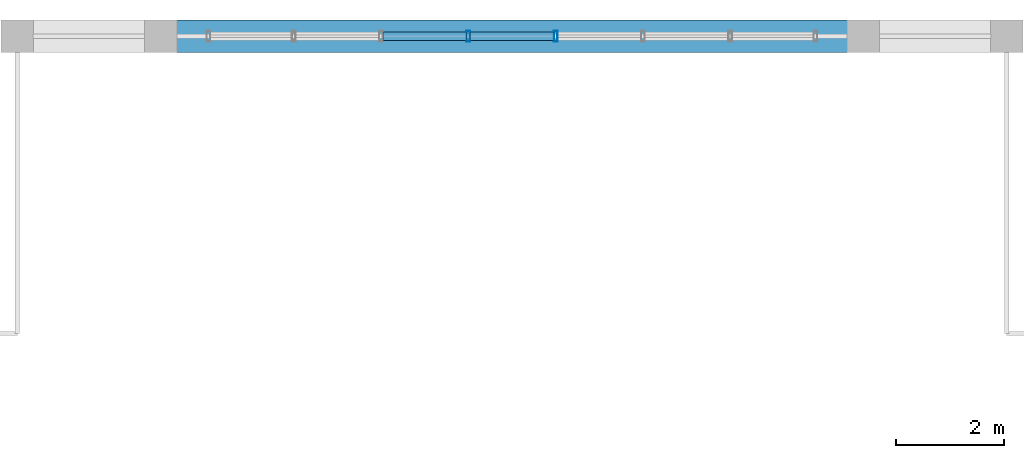
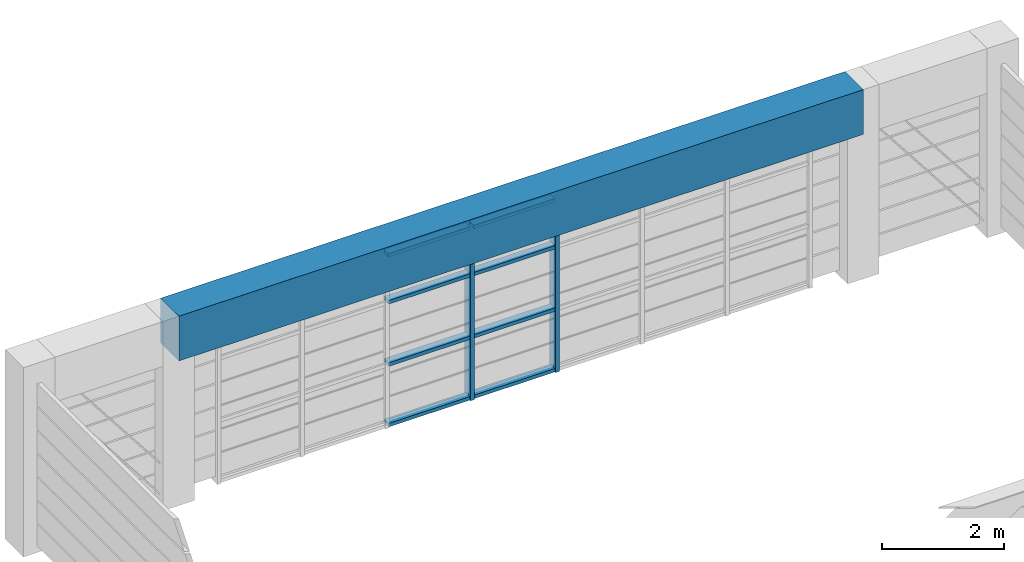
# One storey, part 13 of 21: 10 members, 1 beam, 1 element without a shape of its own.
"""IFC4 building model written with IfcOpenShell, lengths in metres."""

import ifcopenshell
import ifcopenshell.guid

model = None  # the IFC model being written
_history = None  # IfcOwnerHistory: only IFC2X3 demands one
_inside = {}  # id of a spatial element -> (the spatial element, [elements in it])
_under = {}  # id of a project, library or spatial element -> (it, [spatial elements below it])
_declared = {}  # id of a project -> (the project, [libraries it declares])
_typed = {}  # id of a type object -> (the type object, [elements of that type])
_made_of = {}  # id of a material, layer set ... -> (it, [elements and type objects made of it])


def new_model(schema):
    """Start an empty IFC model of exactly this schema.

    Asked for "IFC4X3", IfcOpenShell would pick the latest addendum, in which some entities
    have other attributes; the version numbers below select the first issue.
    IFC2X3 requires an IfcOwnerHistory on every rooted entity: one is made here for all.
    """
    global model, _history
    if schema == "IFC4X3":
        model = ifcopenshell.file(schema_version=(4, 3, 0, 0))
    else:
        model = ifcopenshell.file(schema=schema)
    _inside.clear()
    _under.clear()
    _declared.clear()
    _typed.clear()
    _made_of.clear()
    _history = None
    if model.schema == "IFC2X3":
        org = make("IfcOrganization", Name="unknown")
        user = make(
            "IfcPersonAndOrganization",
            ThePerson=make("IfcPerson", FamilyName="unknown"),
            TheOrganization=org,
        )
        app = make(
            "IfcApplication",
            ApplicationDeveloper=org,
            Version="unknown",
            ApplicationFullName="unknown",
            ApplicationIdentifier="unknown",
        )
        _history = make(
            "IfcOwnerHistory",
            OwningUser=user,
            OwningApplication=app,
            ChangeAction="ADDED",
            CreationDate=0,
        )
    return model


def make(cls, **values):
    """One entity of the class cls with the attributes given. An attribute that is None is left unset."""
    return model.create_entity(
        cls, **{name: value for name, value in values.items() if value is not None}
    )


def rooted(cls, **values):
    """An entity with a GlobalId (a new one), such as an element, a storey or a relation."""
    return make(cls, GlobalId=ifcopenshell.guid.new(), OwnerHistory=_history, **values)


def si_unit(unit_type, name, prefix=None):
    """IfcSIUnit, for example si_unit("LENGTHUNIT", "METRE", prefix="MILLI")."""
    return make("IfcSIUnit", UnitType=unit_type, Prefix=prefix, Name=name)


def assignment(units):
    """IfcUnitAssignment: the units of a project."""
    return None if units is None else make("IfcUnitAssignment", Units=units)


def point(xyz):
    """IfcCartesianPoint."""
    return None if xyz is None else make("IfcCartesianPoint", Coordinates=xyz)


def direction(xyz):
    """IfcDirection."""
    return None if xyz is None else make("IfcDirection", DirectionRatios=xyz)


def frame(location, z_axis=None, x_axis=None):
    """IfcAxis2Placement3D, a coordinate frame: its origin and axes. An axis left out is left unset."""
    return make(
        "IfcAxis2Placement3D",
        Location=point(location),
        Axis=direction(z_axis),
        RefDirection=direction(x_axis),
    )


def frame_2d(location, x_axis=None):
    """IfcAxis2Placement2D, a coordinate frame in the plane: its origin and x axis."""
    return make(
        "IfcAxis2Placement2D", Location=point(location), RefDirection=direction(x_axis)
    )


def origin():
    """The frame at (0, 0, 0) with its axes left unset."""
    return frame((0.0, 0.0, 0.0))


def origin_2d():
    """The frame at (0, 0) in the plane with its x axis left unset."""
    return frame_2d((0.0, 0.0))


def place(relative_to, where):
    """IfcLocalPlacement: puts the frame where relative to a parent placement (None: the world)."""
    return make(
        "IfcLocalPlacement", PlacementRelTo=relative_to, RelativePlacement=where
    )


def context(
    kind, dimensions, precision=None, world=None, true_north=None, identifier=None
):
    """IfcGeometricRepresentationContext, for example the 3D "Model" context."""
    return make(
        "IfcGeometricRepresentationContext",
        ContextIdentifier=identifier,
        ContextType=kind,
        CoordinateSpaceDimension=dimensions,
        Precision=precision,
        WorldCoordinateSystem=world,
        TrueNorth=true_north,
    )


def subcontext(parent, identifier, kind, view, scale=None):
    """IfcGeometricRepresentationSubContext, for example "Body" below "Model"."""
    return make(
        "IfcGeometricRepresentationSubContext",
        ContextIdentifier=identifier,
        ContextType=kind,
        ParentContext=parent,
        TargetScale=scale,
        TargetView=view,
    )


def project(units=None, contexts=None):
    """IfcProject with its units and contexts."""
    return rooted(
        "IfcProject",
        Name="project",
        RepresentationContexts=contexts,
        UnitsInContext=assignment(units),
    )


def spatial(cls, under=None, at=None, **own):
    """A site, building, storey or space (cls), placed at a placement, below another one or the project."""
    s = rooted(cls, ObjectPlacement=at, **own)
    if under is not None:
        _under.setdefault(under.id(), (under, []))[1].append(s)
    return s


def profile(cls, at=None, kind="AREA", **sizes):
    """A parametric profile (cls). Its sizes go by their IFC names, for example OverallWidth=200.0."""
    return make(cls, ProfileType=kind, Position=at, **sizes)


def rectangle(**sizes):
    """IfcRectangleProfileDef."""
    return profile("IfcRectangleProfileDef", **sizes)


def hollow_rectangle(**sizes):
    """IfcRectangleHollowProfileDef."""
    return profile("IfcRectangleHollowProfileDef", **sizes)


def extrude(swept, where, along, depth):
    """IfcExtrudedAreaSolid: the profile swept, set in the frame where, extruded along a direction by depth."""
    return make(
        "IfcExtrudedAreaSolid",
        SweptArea=swept,
        Position=where,
        ExtrudedDirection=direction(along),
        Depth=depth,
    )


def shape(context_of_items, identifier, shape_type, items):
    """IfcShapeRepresentation: the items that make up one representation, for example the "Body"."""
    return make(
        "IfcShapeRepresentation",
        ContextOfItems=context_of_items,
        RepresentationIdentifier=identifier,
        RepresentationType=shape_type,
        Items=items,
    )


def source(mapping_origin, context_of_items, identifier, shape_type, items):
    """IfcRepresentationMap: a shape defined once, which mapped items show again and again."""
    return make(
        "IfcRepresentationMap",
        MappingOrigin=mapping_origin,
        MappedRepresentation=shape(context_of_items, identifier, shape_type, items),
    )


def transform(
    local_origin,
    x_axis=None,
    y_axis=None,
    z_axis=None,
    scale=None,
    scale2=None,
    scale3=None,
    uniform=True,
):
    """IfcCartesianTransformationOperator3D, or its non-uniform kind. x_axis, y_axis, z_axis: its Axis1, 2, 3."""
    if uniform:
        return make(
            "IfcCartesianTransformationOperator3D",
            Axis1=direction(x_axis),
            Axis2=direction(y_axis),
            LocalOrigin=point(local_origin),
            Scale=scale,
            Axis3=direction(z_axis),
        )
    return make(
        "IfcCartesianTransformationOperator3DnonUniform",
        Axis1=direction(x_axis),
        Axis2=direction(y_axis),
        LocalOrigin=point(local_origin),
        Scale=scale,
        Axis3=direction(z_axis),
        Scale2=scale2,
        Scale3=scale3,
    )


def mapped(mapping_source, mapping_target):
    """IfcMappedItem: shows the shape of a source again, moved by a transform."""
    return make(
        "IfcMappedItem", MappingSource=mapping_source, MappingTarget=mapping_target
    )


def material(Name=None, Category=None):
    """IfcMaterial."""
    return make("IfcMaterial", Name=Name, Category=Category)


def layer(
    of_material, thickness, ventilated=None, Name=None, Category=None, Priority=None
):
    """IfcMaterialLayer: one layer of a wall or slab, of a material (None: an air gap)."""
    return make(
        "IfcMaterialLayer",
        Material=of_material,
        LayerThickness=thickness,
        IsVentilated=ventilated,
        Name=Name,
        Category=Category,
        Priority=Priority,
    )


def layer_set(layers, Name=None):
    """IfcMaterialLayerSet."""
    return make("IfcMaterialLayerSet", MaterialLayers=layers, LayerSetName=Name)


def material_profile(
    of_material, cross_section, Name=None, Category=None, Priority=None
):
    """IfcMaterialProfile: a cross section and its material."""
    return make(
        "IfcMaterialProfile",
        Name=Name,
        Material=of_material,
        Profile=cross_section,
        Priority=Priority,
        Category=Category,
    )


def profile_set(profiles, Name=None, composite=None):
    """IfcMaterialProfileSet."""
    return make(
        "IfcMaterialProfileSet",
        Name=Name,
        MaterialProfiles=profiles,
        CompositeProfile=composite,
    )


def made_of(thing, what):
    """Note that an element or type object is made of a material, layer set ...; save() writes the relation."""
    if what is not None:
        _made_of.setdefault(what.id(), (what, []))[1].append(thing)
    return thing


def type_object(cls, material=None, **own):
    """A type object (cls), such as IfcWallType, which elements share."""
    return made_of(rooted(cls, **own), material)


def element(
    cls,
    number,
    at=None,
    inside=None,
    cuts=None,
    type_object=None,
    material=None,
    context=None,
    identifier="Body",
    shape_type=None,
    held_by="IfcProductDefinitionShape",
    body=None,
    shapes=None,
    **own,
):
    """One element of the class cls, such as IfcWall. Its Tag is "e" and its number.

    at: its placement. inside: the storey or other place that contains it. cuts: it is an
    opening in that element (IfcRelVoidsElement). A single representation is given by context,
    identifier, shape_type and body (its items); several are given by shapes. held_by: the class
    of the entity that holds the representations. save() writes the other relations.
    """
    e = rooted(cls, Tag="e%d" % number, ObjectPlacement=at, **own)
    if body is not None:
        shapes = [shape(context, identifier, shape_type, body)]
    if shapes is not None:
        e.Representation = make(held_by, Representations=shapes)
    if inside is not None:
        _inside.setdefault(inside.id(), (inside, []))[1].append(e)
    if cuts is not None:
        rooted(
            "IfcRelVoidsElement", RelatingBuildingElement=cuts, RelatedOpeningElement=e
        )
    if type_object is not None:
        _typed.setdefault(type_object.id(), (type_object, []))[1].append(e)
    return made_of(e, material)


def aggregate(whole, parts):
    """IfcRelAggregates: a whole, such as a stair, and the parts it consists of."""
    return rooted("IfcRelAggregates", RelatingObject=whole, RelatedObjects=parts)


def save(model, path):
    """Write the relations noted so far, then the file.

    IfcRelAggregates (storeys below a building ...), IfcRelContainedInSpatialStructure (elements
    in a storey), IfcRelDefinesByType, IfcRelAssociatesMaterial and IfcRelDeclares: one each for
    every whole, place, type object, material and project.
    """
    for whole, parts in _under.values():
        aggregate(whole, parts)
    for where, things in _inside.values():
        rooted(
            "IfcRelContainedInSpatialStructure",
            RelatedElements=things,
            RelatingStructure=where,
        )
    for kind, things in _typed.values():
        rooted("IfcRelDefinesByType", RelatedObjects=things, RelatingType=kind)
    for what, things in _made_of.values():
        rooted("IfcRelAssociatesMaterial", RelatedObjects=things, RelatingMaterial=what)
    for by, libraries in _declared.values():
        rooted("IfcRelDeclares", RelatingContext=by, RelatedDefinitions=libraries)
    model.write(path)


model = new_model("IFC4")

# Units and contexts
model_context = context("Model", 3, precision=1e-05, world=origin(), true_north=direction((0.0, 1.0)))
body_context = subcontext(model_context, "Body", "Model", "MODEL_VIEW")
ifc_project = project(units=[si_unit("LENGTHUNIT", "METRE"), si_unit("AREAUNIT", "SQUARE_METRE"), si_unit("VOLUMEUNIT", "CUBIC_METRE"), si_unit("PLANEANGLEUNIT", "RADIAN"), si_unit("MASSUNIT", "GRAM", prefix="KILO")], contexts=[model_context])

# Site, building, storey
site_placement = place(None, origin())
site = spatial("IfcSite", under=ifc_project, at=site_placement, CompositionType="ELEMENT")
building_placement = place(site_placement, origin())
building = spatial("IfcBuilding", under=site, at=building_placement, Name="Saelheon Loggia Tower", CompositionType="ELEMENT")
storey_placement = place(building_placement, frame((0.0, 0.0, 259.800048828125)))
storey = spatial("IfcBuildingStorey", under=building, at=storey_placement, Name="CR3", CompositionType="ELEMENT", Elevation=259.800048828125)

# Beam
ifc_material_1 = material(Name="Precast Concrete C45/55", Category="concrete")
ifc_material_profile_1 = material_profile(ifc_material_1, rectangle(XDim=0.60009765625, YDim=0.89990234375, at=origin_2d()), Name="RC-600x900")
ifc_profile_set_1 = profile_set([ifc_material_profile_1], Name="Precast Concrete C45/55")
beam_type = type_object("IfcBeamType", Name="CrownFrame_Ring_RC600x900", PredefinedType="BEAM", material=ifc_profile_set_1)
shared_shape_1 = source(origin(), body_context, "Body", "SweptSolid", [
    extrude(rectangle(XDim=0.60009765625, YDim=0.89990234375, at=origin_2d()), origin(), (0.0, 0.0, 1.0), 13.0),
])
beam_placement = place(storey_placement, frame((44.5, 47.64990234375, 3.349853515625), z_axis=(-1.0, 0.0, 0.0), x_axis=(0.0, -1.0, 0.0)))
element("IfcBeam", 1, at=beam_placement, inside=storey, type_object=beam_type, Name="CR3 CROWN FRAME Sill Beam 10", PredefinedType="BEAM", context=body_context, shape_type="MappedRepresentation", body=[
    mapped(shared_shape_1, transform((0.0, 0.0, 0.0), scale=1.0)),
])

# Curtain wall, members
ifc_material_2 = material(Name="Bronze-Anodised Aluminium and Fritted Ceramic Screen", Category="aluminium")
ifc_layer = layer(ifc_material_2, 0.219970703125)
ifc_layer_set = layer_set([ifc_layer], Name="Bronze-Anodised Aluminium and Fritted Ceramic Screen")
curtain_wall_type = type_object("IfcCurtainWallType", Name="CW_CrownScreen", PredefinedType="NOTDEFINED", material=ifc_layer_set)
curtain_wall_placement = place(storey_placement, origin())
curtain_wall = element("IfcCurtainWall", 2, at=curtain_wall_placement, inside=storey, type_object=curtain_wall_type, Name="CR3 Crown Central Screen Curtain Wall 6", PredefinedType="NOTDEFINED")
ifc_material_3 = material(Name="Bronze-Anodised Aluminium 6063-T6", Category="aluminium")
ifc_material_profile_2 = material_profile(ifc_material_3, hollow_rectangle(XDim=0.070068359375, YDim=0.199951171875, WallThickness=0.0048828125, at=origin_2d()), Name="RHS-200x70x5")
ifc_profile_set_2 = profile_set([ifc_material_profile_2], Name="Bronze-Anodised Aluminium 6063-T6")
member_type_1 = type_object("IfcMemberType", Name="CW_CrownScreen_Mullion", PredefinedType="MULLION", material=ifc_profile_set_2)
shared_shape_2 = source(origin(), body_context, "Body", "SweptSolid", [
    extrude(hollow_rectangle(XDim=0.070068359375, YDim=0.199951171875, WallThickness=0.0048828125, at=origin_2d()), origin(), (0.0, 0.0, 1.0), 3.47998046875),
])
member_1_placement = place(storey_placement, frame((37.19287109375, 47.64990234375, 0.0), z_axis=(0.0, 0.0, 1.0), x_axis=(1.0, 0.0, 0.0)))
member_1 = element("IfcMember", 3, at=member_1_placement, type_object=member_type_1, Name="CW6 mullion 4", PredefinedType="MULLION", context=body_context, shape_type="MappedRepresentation", body=[
    mapped(shared_shape_2, transform((0.0, 0.0, 0.0), scale=1.0)),
])
member_2_placement = place(storey_placement, frame((38.80712890625, 47.64990234375, 0.0), z_axis=(0.0, 0.0, 1.0), x_axis=(1.0, 0.0, 0.0)))
member_2 = element("IfcMember", 4, at=member_2_placement, type_object=member_type_1, Name="CW6 mullion 5", PredefinedType="MULLION", context=body_context, shape_type="MappedRepresentation", body=[
    mapped(shared_shape_2, transform((0.0, 0.0, 0.0), scale=1.0)),
])
ifc_material_profile_3 = material_profile(ifc_material_3, hollow_rectangle(XDim=0.070068359375, YDim=0.14990234375, WallThickness=0.0048828125, at=origin_2d()), Name="RHS-150x70x5")
ifc_profile_set_3 = profile_set([ifc_material_profile_3], Name="Bronze-Anodised Aluminium 6063-T6")
member_type_2 = type_object("IfcMemberType", Name="CW_CrownScreen_Transom", PredefinedType="USERDEFINED", material=ifc_profile_set_3)
shared_shape_3 = source(origin(), body_context, "Body", "SweptSolid", [
    extrude(hollow_rectangle(XDim=0.070068359375, YDim=0.14990234375, WallThickness=0.0048828125, at=origin_2d()), origin(), (0.0, 0.0, 1.0), 1.54443359375),
])
member_3_placement = place(storey_placement, frame((35.613525390625, 47.64990234375, 0.034912109375), z_axis=(1.0, 0.0, 0.0), x_axis=(0.0, 0.0, 1.0)))
member_3 = element("IfcMember", 5, at=member_3_placement, type_object=member_type_2, Name="CW6 transom 3.1", ObjectType="TRANSOM", PredefinedType="USERDEFINED", context=body_context, shape_type="MappedRepresentation", body=[
    mapped(shared_shape_3, transform((0.0, 0.0, 0.0), scale=1.0)),
])
member_4_placement = place(storey_placement, frame((35.613525390625, 47.64990234375, 1.25), z_axis=(1.0, 0.0, 0.0), x_axis=(0.0, 0.0, 1.0)))
member_4 = element("IfcMember", 6, at=member_4_placement, type_object=member_type_2, Name="CW6 transom 3.2", ObjectType="TRANSOM", PredefinedType="USERDEFINED", context=body_context, shape_type="MappedRepresentation", body=[
    mapped(shared_shape_3, transform((0.0, 0.0, 0.0), scale=1.0)),
])
member_5_placement = place(storey_placement, frame((35.613525390625, 47.64990234375, 2.5), z_axis=(1.0, 0.0, 0.0), x_axis=(0.0, 0.0, 1.0)))
member_5 = element("IfcMember", 7, at=member_5_placement, type_object=member_type_2, Name="CW6 transom 3.3", ObjectType="TRANSOM", PredefinedType="USERDEFINED", context=body_context, shape_type="MappedRepresentation", body=[
    mapped(shared_shape_3, transform((0.0, 0.0, 0.0), scale=1.0)),
])
member_6_placement = place(storey_placement, frame((35.613525390625, 47.64990234375, 3.445068359375), z_axis=(1.0, 0.0, 0.0), x_axis=(0.0, 0.0, 1.0)))
member_6 = element("IfcMember", 8, at=member_6_placement, type_object=member_type_2, Name="CW6 transom 3.4", ObjectType="TRANSOM", PredefinedType="USERDEFINED", context=body_context, shape_type="MappedRepresentation", body=[
    mapped(shared_shape_3, transform((0.0, 0.0, 0.0), scale=1.0)),
])
member_7_placement = place(storey_placement, frame((37.227783203125, 47.64990234375, 0.034912109375), z_axis=(1.0, 0.0, 0.0), x_axis=(0.0, 0.0, 1.0)))
member_7 = element("IfcMember", 9, at=member_7_placement, type_object=member_type_2, Name="CW6 transom 4.1", ObjectType="TRANSOM", PredefinedType="USERDEFINED", context=body_context, shape_type="MappedRepresentation", body=[
    mapped(shared_shape_3, transform((0.0, 0.0, 0.0), scale=1.0)),
])
member_8_placement = place(storey_placement, frame((37.227783203125, 47.64990234375, 1.25), z_axis=(1.0, 0.0, 0.0), x_axis=(0.0, 0.0, 1.0)))
member_8 = element("IfcMember", 10, at=member_8_placement, type_object=member_type_2, Name="CW6 transom 4.2", ObjectType="TRANSOM", PredefinedType="USERDEFINED", context=body_context, shape_type="MappedRepresentation", body=[
    mapped(shared_shape_3, transform((0.0, 0.0, 0.0), scale=1.0)),
])
member_9_placement = place(storey_placement, frame((37.227783203125, 47.64990234375, 2.5), z_axis=(1.0, 0.0, 0.0), x_axis=(0.0, 0.0, 1.0)))
member_9 = element("IfcMember", 11, at=member_9_placement, type_object=member_type_2, Name="CW6 transom 4.3", ObjectType="TRANSOM", PredefinedType="USERDEFINED", context=body_context, shape_type="MappedRepresentation", body=[
    mapped(shared_shape_3, transform((0.0, 0.0, 0.0), scale=1.0)),
])
member_10_placement = place(storey_placement, frame((37.227783203125, 47.64990234375, 3.445068359375), z_axis=(1.0, 0.0, 0.0), x_axis=(0.0, 0.0, 1.0)))
member_10 = element("IfcMember", 12, at=member_10_placement, type_object=member_type_2, Name="CW6 transom 4.4", ObjectType="TRANSOM", PredefinedType="USERDEFINED", context=body_context, shape_type="MappedRepresentation", body=[
    mapped(shared_shape_3, transform((0.0, 0.0, 0.0), scale=1.0)),
])
aggregate(curtain_wall, [member_1, member_2, member_3, member_4, member_5, member_6, member_7, member_8, member_9, member_10])

save(model, "model.ifc")
